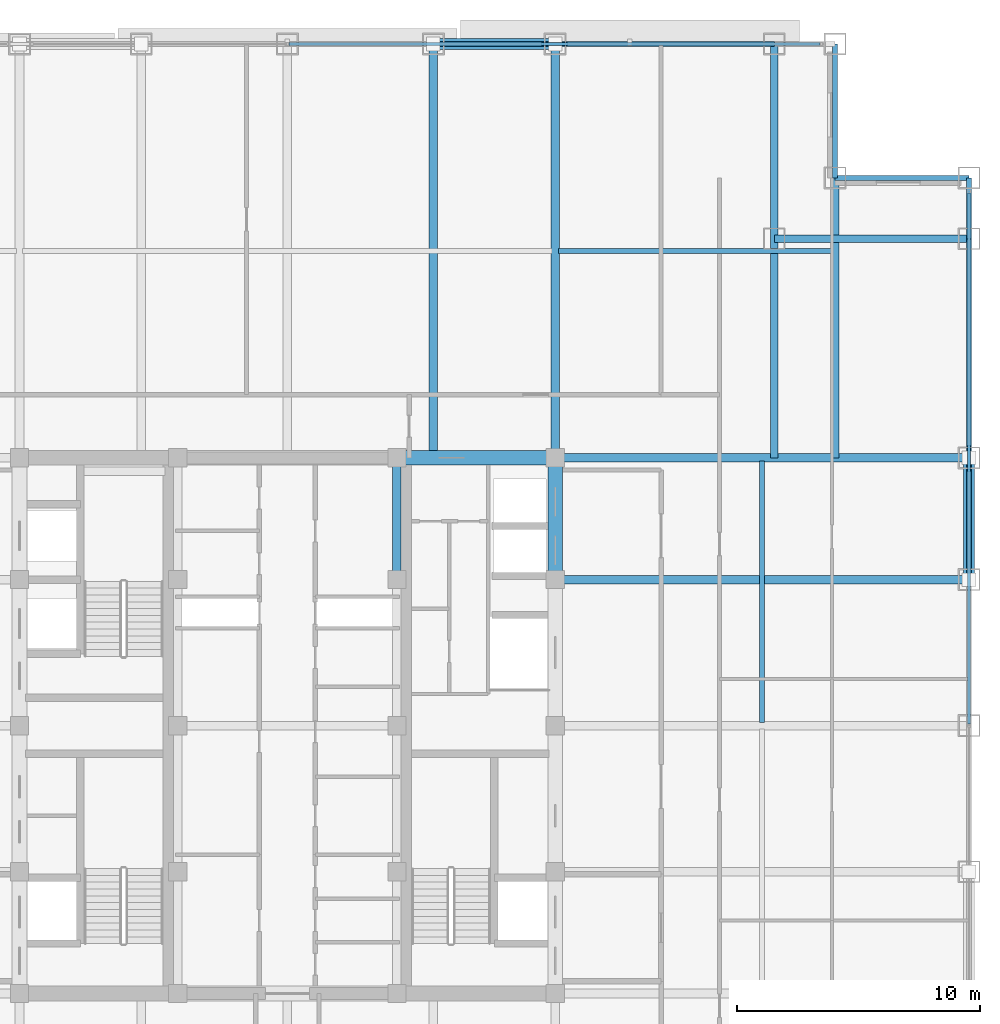
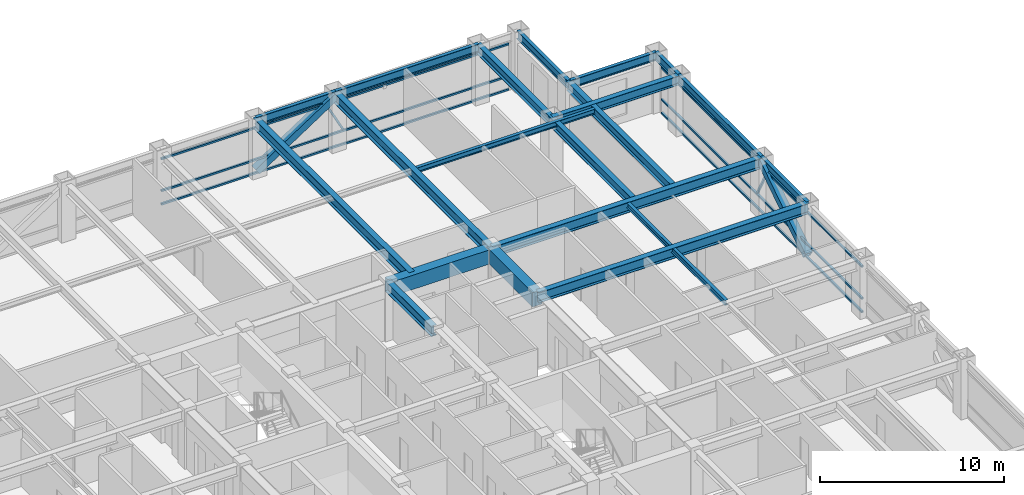
# One storey, part 15 of 27: 19 beams, 10 members, 2 elements without a shape of their own.
"""IFC4 building model written with IfcOpenShell, lengths in metres."""

from ifc_helpers import new_model, si_unit, direction, frame, origin, origin_2d, place, context, subcontext, project, spatial, rectangle, hollow_rectangle, i_section, extrude, source, transform, mapped, material, material_profile, profile_set, type_object, element, aggregate, save


model = new_model("IFC4")

# Units and contexts
model_context = context("Model", 3, precision=1e-05, world=origin(), true_north=direction((0.0, 1.0)))
body_context = subcontext(model_context, "Body", "Model", "MODEL_VIEW")
ifc_project = project(units=[si_unit("LENGTHUNIT", "METRE"), si_unit("AREAUNIT", "SQUARE_METRE"), si_unit("VOLUMEUNIT", "CUBIC_METRE"), si_unit("PLANEANGLEUNIT", "RADIAN"), si_unit("MASSUNIT", "GRAM", prefix="KILO")], contexts=[model_context])

# Site, building, storey
site_placement = place(None, origin())
site = spatial("IfcSite", under=ifc_project, at=site_placement, CompositionType="ELEMENT")
building_placement = place(site_placement, origin())
building = spatial("IfcBuilding", under=site, at=building_placement, Name="Khorayat Bourse Tower", CompositionType="ELEMENT")
storey_placement = place(building_placement, frame((0.0, 0.0, 313.5)))
storey = spatial("IfcBuildingStorey", under=building, at=storey_placement, Name="L74", CompositionType="ELEMENT", Elevation=313.5)

# Beams
ifc_material_1 = material(Name="Steel ASTM A992 Grade 50", Category="steel")
ifc_material_profile_1 = material_profile(ifc_material_1, i_section(OverallWidth=0.35498046875, OverallDepth=0.695068359375, WebThickness=0.015380859375, FlangeThickness=0.02490234375, FilletRadius=0.01806640625, at=origin_2d()), Name="W690X217")
ifc_profile_set_1 = profile_set([ifc_material_profile_1], Name="Steel ASTM A992 Grade 50")
beam_type_1 = type_object("IfcBeamType", Name="BM-GIRD-690", PredefinedType="BEAM", material=ifc_profile_set_1)
shared_shape_1 = source(origin(), body_context, "Body", "SweptSolid", [
    extrude(i_section(OverallWidth=0.35498046875, OverallDepth=0.695068359375, WebThickness=0.015380859375, FlangeThickness=0.02490234375, FilletRadius=0.01806640625, at=origin_2d()), origin(), (0.0, 0.0, 1.0), 5.0),
])
beam_1_placement = place(storey_placement, frame((4.5, 6.0, 3.4326171875), z_axis=(0.0, 1.0, 0.0), x_axis=(-1.0, 0.0, 0.0)))
element("IfcBeam", 1, at=beam_1_placement, inside=storey, type_object=beam_type_1, Name="L74 BM-GIRD-690 BM-L74-CRX-12", PredefinedType="BEAM", context=body_context, shape_type="MappedRepresentation", body=[
    mapped(shared_shape_1, transform((0.0, 0.0, 0.0), scale=1.0)),
])
ifc_material_profile_2 = material_profile(ifc_material_1, i_section(OverallWidth=0.324951171875, OverallDepth=0.615966796875, WebThickness=0.013916015625, FlangeThickness=0.021484375, FilletRadius=0.01611328125, at=origin_2d()), Name="W610X174")
ifc_profile_set_2 = profile_set([ifc_material_profile_2], Name="Steel ASTM A992 Grade 50")
beam_type_2 = type_object("IfcBeamType", Name="BM-GIRD-610", PredefinedType="BEAM", material=ifc_profile_set_2)
shared_shape_2 = source(origin(), body_context, "Body", "SweptSolid", [
    extrude(i_section(OverallWidth=0.324951171875, OverallDepth=0.615966796875, WebThickness=0.013916015625, FlangeThickness=0.021484375, FilletRadius=0.01611328125, at=origin_2d()), origin(), (0.0, 0.0, 1.0), 17.0),
])
beam_2_placement = place(storey_placement, frame((20.0, 11.0, 3.471923828125), z_axis=(0.0, 1.0, 0.0), x_axis=(-1.0, 0.0, 0.0)))
element("IfcBeam", 2, at=beam_2_placement, inside=storey, type_object=beam_type_2, Name="L74 BM-GIRD-610 BM-L74-CNRY-087", PredefinedType="BEAM", context=body_context, shape_type="MappedRepresentation", body=[
    mapped(shared_shape_2, transform((0.0, 0.0, 0.0), scale=1.0)),
])
ifc_material_2 = material(Name="Concrete C60/75", Category="concrete")
ifc_material_profile_3 = material_profile(ifc_material_2, rectangle(XDim=0.60009765625, YDim=0.949951171875, at=origin_2d()), Name="RC 600x950")
ifc_profile_set_3 = profile_set([ifc_material_profile_3], Name="Concrete C60/75")
beam_type_3 = type_object("IfcBeamType", Name="BM-COUP-950", PredefinedType="BEAM", material=ifc_profile_set_3)
shared_shape_3 = source(origin(), body_context, "Body", "SweptSolid", [
    extrude(rectangle(XDim=0.60009765625, YDim=0.949951171875, at=origin_2d()), origin(), (0.0, 0.0, 1.0), 5.0),
])
beam_3_placement = place(storey_placement, frame((11.0, 6.0, 3.304931640625), z_axis=(0.0, 1.0, 0.0), x_axis=(-1.0, 0.0, 0.0)))
element("IfcBeam", 3, at=beam_3_placement, inside=storey, type_object=beam_type_3, Name="L74 BM-COUP-950 BM-L74-CRX-16", PredefinedType="BEAM", context=body_context, shape_type="MappedRepresentation", body=[
    mapped(shared_shape_3, transform((0.0, 0.0, 0.0), scale=1.0)),
])
shared_shape_4 = source(origin(), body_context, "Body", "SweptSolid", [
    extrude(rectangle(XDim=0.60009765625, YDim=0.949951171875, at=origin_2d()), origin(), (0.0, 0.0, 1.0), 6.5),
])
beam_4_placement = place(storey_placement, frame((4.5, 11.0, 3.304931640625), z_axis=(1.0, 0.0, 0.0), x_axis=(0.0, 1.0, 0.0)))
element("IfcBeam", 4, at=beam_4_placement, inside=storey, type_object=beam_type_3, Name="L74 BM-COUP-950 BM-L74-CRY-22", PredefinedType="BEAM", context=body_context, shape_type="MappedRepresentation", body=[
    mapped(shared_shape_4, transform((0.0, 0.0, 0.0), scale=1.0)),
])

# Members
ifc_material_3 = material(Name="Steel EN 10025-4 S460M", Category="steel")
ifc_material_profile_4 = material_profile(ifc_material_3, hollow_rectangle(XDim=0.449951171875, YDim=0.449951171875, WallThickness=0.02490234375, at=origin_2d()), Name="HSS 450x450x25")
ifc_profile_set_4 = profile_set([ifc_material_profile_4], Name="Steel EN 10025-4 S460M")
member_type_1 = type_object("IfcMemberType", Name="MBR-TUBE-450", PredefinedType="BRACE", material=ifc_profile_set_4)
shared_shape_5 = source(origin(), body_context, "Body", "SweptSolid", [
    extrude(hollow_rectangle(XDim=0.449951171875, YDim=0.449951171875, WallThickness=0.02490234375, at=origin_2d()), origin(), (0.0, 0.0, 1.0), 5.979736328125),
])
for number, where, z_axis, x_axis, name in (
    (5, (6.0, 28.0, 0.25), (0.836141536525, 0.0, 0.548513747227), (0.0, 1.0, 0.0), "L74 Perimeter Tube Brace 04"),
    (6, (28.0, 6.0, 0.25), (0.0, 0.836141536525, 0.548513747227), (-1.0, 0.0, 0.0), "L74 Perimeter Tube Brace 08"),
):
    element("IfcMember", number, at=place(storey_placement, frame(where, z_axis=z_axis, x_axis=x_axis)), inside=storey, type_object=member_type_1, Name=name, PredefinedType="BRACE", context=body_context, shape_type="MappedRepresentation", body=[
        mapped(shared_shape_5, transform((0.0, 0.0, 0.0), scale=1.0)),
    ])

# Beams
shared_shape_6 = source(origin(), body_context, "Body", "SweptSolid", [
    extrude(i_section(OverallWidth=0.35498046875, OverallDepth=0.695068359375, WebThickness=0.015380859375, FlangeThickness=0.02490234375, FilletRadius=0.01806640625, at=origin_2d()), origin(), (0.0, 0.0, 1.0), 17.0),
])
for number, where, z_axis, x_axis, name in (
    (7, (6.0, 11.0, 3.4326171875), (0.0, 1.0, 0.0), (-1.0, 0.0, 0.0), "L74 BM-GIRD-690 BM-L74-RADY-070"),
    (8, (11.0, 11.0, 3.4326171875), (0.0, 1.0, 0.0), (-1.0, 0.0, 0.0), "L74 BM-GIRD-690 BM-L74-RADY-072"),
    (9, (11.0, 6.0, 3.4326171875), (1.0, 0.0, 0.0), (0.0, 1.0, 0.0), "L74 BM-GIRD-690 BM-L74-RADX-080"),
    (10, (11.0, 11.0, 3.4326171875), (1.0, 0.0, 0.0), (0.0, 1.0, 0.0), "L74 BM-GIRD-690 BM-L74-RADX-082"),
):
    element("IfcBeam", number, at=place(storey_placement, frame(where, z_axis=z_axis, x_axis=x_axis)), inside=storey, type_object=beam_type_1, Name=name, PredefinedType="BEAM", context=body_context, shape_type="MappedRepresentation", body=[
        mapped(shared_shape_6, transform((0.0, 0.0, 0.0), scale=1.0)),
    ])
shared_shape_7 = source(origin(), body_context, "Body", "SweptSolid", [
    extrude(i_section(OverallWidth=0.324951171875, OverallDepth=0.615966796875, WebThickness=0.013916015625, FlangeThickness=0.021484375, FilletRadius=0.01611328125, at=origin_2d()), origin(), (0.0, 0.0, 1.0), 11.5),
])
beam_5_placement = place(storey_placement, frame((22.5, 11.0, 3.471923828125), z_axis=(0.0, 1.0, 0.0), x_axis=(-1.0, 0.0, 0.0)))
element("IfcBeam", 11, at=beam_5_placement, inside=storey, type_object=beam_type_2, Name="L74 BM-GIRD-610 BM-L74-CNRY-091", PredefinedType="BEAM", context=body_context, shape_type="MappedRepresentation", body=[
    mapped(shared_shape_7, transform((0.0, 0.0, 0.0), scale=1.0)),
])
shared_shape_8 = source(origin(), body_context, "Body", "SweptSolid", [
    extrude(i_section(OverallWidth=0.324951171875, OverallDepth=0.615966796875, WebThickness=0.013916015625, FlangeThickness=0.021484375, FilletRadius=0.01611328125, at=origin_2d()), origin(), (0.0, 0.0, 1.0), 8.0),
])
beam_6_placement = place(storey_placement, frame((20.0, 20.0, 3.471923828125), z_axis=(1.0, 0.0, 0.0), x_axis=(0.0, 1.0, 0.0)))
element("IfcBeam", 12, at=beam_6_placement, inside=storey, type_object=beam_type_2, Name="L74 BM-GIRD-610 BM-L74-CNRX-094", PredefinedType="BEAM", context=body_context, shape_type="MappedRepresentation", body=[
    mapped(shared_shape_8, transform((0.0, 0.0, 0.0), scale=1.0)),
])
ifc_material_profile_5 = material_profile(ifc_material_1, i_section(OverallWidth=0.202880859375, OverallDepth=0.346923828125, WebThickness=0.0078125, FlangeThickness=0.013427734375, FilletRadius=0.010009765625, at=origin_2d()), Name="W360X64")
ifc_profile_set_5 = profile_set([ifc_material_profile_5], Name="Steel ASTM A992 Grade 50")
beam_type_4 = type_object("IfcBeamType", Name="BM-JOIST-360", PredefinedType="JOIST", material=ifc_profile_set_5)
shared_shape_9 = source(origin(), body_context, "Body", "SweptSolid", [
    extrude(i_section(OverallWidth=0.202880859375, OverallDepth=0.346923828125, WebThickness=0.0078125, FlangeThickness=0.013427734375, FilletRadius=0.010009765625, at=origin_2d()), origin(), (0.0, 0.0, 1.0), 11.240234375),
])
beam_7_placement = place(storey_placement, frame((11.1298828125, 19.5, 3.6064453125), z_axis=(1.0, 0.0, 0.0), x_axis=(0.0, 1.0, 0.0)))
element("IfcBeam", 13, at=beam_7_placement, inside=storey, type_object=beam_type_4, Name="L74 BM-JOIST-360 BM-L74-JSTX-101", PredefinedType="JOIST", context=body_context, shape_type="MappedRepresentation", body=[
    mapped(shared_shape_9, transform((0.0, 0.0, 0.0), scale=1.0)),
])
shared_shape_10 = source(origin(), body_context, "Body", "SweptSolid", [
    extrude(i_section(OverallWidth=0.202880859375, OverallDepth=0.346923828125, WebThickness=0.0078125, FlangeThickness=0.013427734375, FilletRadius=0.010009765625, at=origin_2d()), origin(), (0.0, 0.0, 1.0), 10.740234375),
])
beam_8_placement = place(storey_placement, frame((19.5, 0.1298828125, 3.6064453125), z_axis=(0.0, 1.0, 0.0), x_axis=(-1.0, 0.0, 0.0)))
element("IfcBeam", 14, at=beam_8_placement, inside=storey, type_object=beam_type_4, Name="L74 BM-JOIST-360 BM-L74-JSTY-105", PredefinedType="JOIST", context=body_context, shape_type="MappedRepresentation", body=[
    mapped(shared_shape_10, transform((0.0, 0.0, 0.0), scale=1.0)),
])
ifc_material_profile_6 = material_profile(ifc_material_1, i_section(OverallWidth=0.214111328125, OverallDepth=0.549072265625, WebThickness=0.0146484375, FlangeThickness=0.023681640625, FilletRadius=0.013916015625, at=origin_2d()), Name="W530X138")
ifc_profile_set_6 = profile_set([ifc_material_profile_6], Name="Steel ASTM A992 Grade 50")
beam_type_5 = type_object("IfcBeamType", Name="BM-SPAN-530", PredefinedType="SPANDREL", material=ifc_profile_set_6)
shared_shape_11 = source(origin(), body_context, "Body", "SweptSolid", [
    extrude(i_section(OverallWidth=0.214111328125, OverallDepth=0.549072265625, WebThickness=0.0146484375, FlangeThickness=0.023681640625, FilletRadius=0.013916015625, at=origin_2d()), origin(), (0.0, 0.0, 1.0), 2.5),
])
beam_9_placement = place(storey_placement, frame((28.0, 20.0, 3.505615234375), z_axis=(0.0, 1.0, 0.0), x_axis=(-1.0, 0.0, 0.0)))
element("IfcBeam", 15, at=beam_9_placement, inside=storey, type_object=beam_type_5, Name="L74 BM-SPAN-530 BM-L74-SPN-041", PredefinedType="SPANDREL", context=body_context, shape_type="MappedRepresentation", body=[
    mapped(shared_shape_11, transform((0.0, 0.0, 0.0), scale=1.0)),
])
shared_shape_12 = source(origin(), body_context, "Body", "SweptSolid", [
    extrude(i_section(OverallWidth=0.214111328125, OverallDepth=0.549072265625, WebThickness=0.0146484375, FlangeThickness=0.023681640625, FilletRadius=0.013916015625, at=origin_2d()), origin(), (0.0, 0.0, 1.0), 9.0),
])
for number, where, z_axis, x_axis, name in (
    (16, (28.0, 11.0, 3.505615234375), (0.0, 1.0, 0.0), (-1.0, 0.0, 0.0), "L74 BM-SPAN-530 BM-L74-SPN-040"),
    (17, (11.0, 28.0, 3.505615234375), (1.0, 0.0, 0.0), (0.0, 1.0, 0.0), "L74 BM-SPAN-530 BM-L74-SPN-045"),
):
    element("IfcBeam", number, at=place(storey_placement, frame(where, z_axis=z_axis, x_axis=x_axis)), inside=storey, type_object=beam_type_5, Name=name, PredefinedType="SPANDREL", context=body_context, shape_type="MappedRepresentation", body=[
        mapped(shared_shape_12, transform((0.0, 0.0, 0.0), scale=1.0)),
    ])
shared_shape_13 = source(origin(), body_context, "Body", "SweptSolid", [
    extrude(i_section(OverallWidth=0.214111328125, OverallDepth=0.549072265625, WebThickness=0.0146484375, FlangeThickness=0.023681640625, FilletRadius=0.013916015625, at=origin_2d()), origin(), (0.0, 0.0, 1.0), 5.0),
])
for number, where, z_axis, x_axis, name in (
    (18, (28.0, 6.0, 3.505615234375), (0.0, 1.0, 0.0), (-1.0, 0.0, 0.0), "L74 BM-SPAN-530 BM-L74-SPN-039"),
    (19, (6.0, 28.0, 3.505615234375), (1.0, 0.0, 0.0), (0.0, 1.0, 0.0), "L74 BM-SPAN-530 BM-L74-SPN-046"),
):
    element("IfcBeam", number, at=place(storey_placement, frame(where, z_axis=z_axis, x_axis=x_axis)), inside=storey, type_object=beam_type_5, Name=name, PredefinedType="SPANDREL", context=body_context, shape_type="MappedRepresentation", body=[
        mapped(shared_shape_13, transform((0.0, 0.0, 0.0), scale=1.0)),
    ])
shared_shape_14 = source(origin(), body_context, "Body", "SweptSolid", [
    extrude(i_section(OverallWidth=0.214111328125, OverallDepth=0.549072265625, WebThickness=0.0146484375, FlangeThickness=0.023681640625, FilletRadius=0.013916015625, at=origin_2d()), origin(), (0.0, 0.0, 1.0), 5.5),
])
for number, where, z_axis, x_axis, name in (
    (20, (22.5, 22.5, 3.505615234375), (1.0, 0.0, 0.0), (0.0, 1.0, 0.0), "L74 BM-SPAN-530 BM-L74-SPN-042"),
    (21, (22.5, 22.5, 3.505615234375), (0.0, 1.0, 0.0), (-1.0, 0.0, 0.0), "L74 BM-SPAN-530 BM-L74-SPN-043"),
):
    element("IfcBeam", number, at=place(storey_placement, frame(where, z_axis=z_axis, x_axis=x_axis)), inside=storey, type_object=beam_type_5, Name=name, PredefinedType="SPANDREL", context=body_context, shape_type="MappedRepresentation", body=[
        mapped(shared_shape_14, transform((0.0, 0.0, 0.0), scale=1.0)),
    ])

# Curtain wall, member
ifc_material_4 = material(Name="Aluminium EN AW-6063 T6", Category="aluminium")
curtain_wall_type = type_object("IfcCurtainWallType", Name="CW-SYS-04", PredefinedType="NOTDEFINED", material=ifc_material_4)
curtain_wall_1_placement = place(storey_placement, origin())
curtain_wall_1 = element("IfcCurtainWall", 22, at=curtain_wall_1_placement, inside=storey, type_object=curtain_wall_type, Name="L74 Curtain Wall CW-L74-N1", PredefinedType="NOTDEFINED")
ifc_material_profile_7 = material_profile(ifc_material_4, hollow_rectangle(XDim=0.1201171875, YDim=0.1201171875, WallThickness=0.0048828125, at=origin_2d()), Name="ALU 120x120x5")
ifc_profile_set_7 = profile_set([ifc_material_profile_7], Name="Aluminium EN AW-6063 T6")
member_type_2 = type_object("IfcMemberType", Name="CWM-DIAG-120", PredefinedType="MULLION", material=ifc_profile_set_7)
shared_shape_15 = source(origin(), body_context, "Body", "SweptSolid", [
    extrude(hollow_rectangle(XDim=0.1201171875, YDim=0.1201171875, WallThickness=0.0048828125, at=origin_2d()), origin(), (0.0, 0.0, 1.0), 2.0791015625),
])
member_1_placement = place(storey_placement, frame((11.4541015625, 28.0, 1.090087890625), z_axis=(-0.465717394116, 0.0, 0.884933505309), x_axis=(0.0, -1.0, 0.0)))
member_1 = element("IfcMember", 23, at=member_1_placement, type_object=member_type_2, Name="CW-L74-N1 Faceted Diagonal Mullion 2", PredefinedType="MULLION", context=body_context, shape_type="MappedRepresentation", body=[
    mapped(shared_shape_15, transform((0.0, 0.0, 0.0), scale=1.0)),
])

curtain_wall_2_placement = place(storey_placement, origin())
curtain_wall_2 = element("IfcCurtainWall", 24, at=curtain_wall_2_placement, inside=storey, type_object=curtain_wall_type, Name="L74 Curtain Wall CW-L74-E1", PredefinedType="NOTDEFINED")
member_2_placement = place(storey_placement, frame((28.0, 11.4541015625, 1.090087890625), z_axis=(0.0, -0.465717394116, 0.884933505309), x_axis=(1.0, 0.0, 0.0)))
member_2 = element("IfcMember", 25, at=member_2_placement, type_object=member_type_2, Name="CW-L74-E1 Faceted Diagonal Mullion 2", PredefinedType="MULLION", context=body_context, shape_type="MappedRepresentation", body=[
    mapped(shared_shape_15, transform((0.0, 0.0, 0.0), scale=1.0)),
])

# Member
ifc_material_profile_8 = material_profile(ifc_material_4, hollow_rectangle(XDim=0.1201171875, YDim=0.1201171875, WallThickness=0.0048828125, at=origin_2d()), Name="ALU 120x120x5")
ifc_profile_set_8 = profile_set([ifc_material_profile_8], Name="Aluminium EN AW-6063 T6")
member_type_3 = type_object("IfcMemberType", Name="CWT-HORZ-120", PredefinedType="USERDEFINED", material=ifc_profile_set_8)
shared_shape_16 = source(origin(), body_context, "Body", "SweptSolid", [
    extrude(hollow_rectangle(XDim=0.1201171875, YDim=0.1201171875, WallThickness=0.0048828125, at=origin_2d()), origin(), (0.0, 0.0, 1.0), 21.81982421875),
])
member_3_placement = place(storey_placement, frame((0.06005859375, 28.0, 0.06005859375), z_axis=(1.0, 0.0, 0.0), x_axis=(0.0, 1.0, 0.0)))
member_3 = element("IfcMember", 26, at=member_3_placement, type_object=member_type_3, Name="CW-L74-N1 Horizontal Transom 2-1", ObjectType="TRANSOM", PredefinedType="USERDEFINED", context=body_context, shape_type="MappedRepresentation", body=[
    mapped(shared_shape_16, transform((0.0, 0.0, 0.0), scale=1.0)),
])

member_4_placement = place(storey_placement, frame((0.06005859375, 28.0, 0.949951171875), z_axis=(1.0, 0.0, 0.0), x_axis=(0.0, 1.0, 0.0)))
member_4 = element("IfcMember", 27, at=member_4_placement, type_object=member_type_3, Name="CW-L74-N1 Horizontal Transom 2-2", ObjectType="TRANSOM", PredefinedType="USERDEFINED", context=body_context, shape_type="MappedRepresentation", body=[
    mapped(shared_shape_16, transform((0.0, 0.0, 0.0), scale=1.0)),
])

member_5_placement = place(storey_placement, frame((0.06005859375, 28.0, 3.070068359375), z_axis=(1.0, 0.0, 0.0), x_axis=(0.0, 1.0, 0.0)))
member_5 = element("IfcMember", 28, at=member_5_placement, type_object=member_type_3, Name="CW-L74-N1 Horizontal Transom 2-3", ObjectType="TRANSOM", PredefinedType="USERDEFINED", context=body_context, shape_type="MappedRepresentation", body=[
    mapped(shared_shape_16, transform((0.0, 0.0, 0.0), scale=1.0)),
])

aggregate(curtain_wall_1, [member_3, member_4, member_5, member_1])

member_6_placement = place(storey_placement, frame((28.0, 0.06005859375, 0.06005859375), z_axis=(0.0, 1.0, 0.0), x_axis=(-1.0, 0.0, 0.0)))
member_6 = element("IfcMember", 29, at=member_6_placement, type_object=member_type_3, Name="CW-L74-E1 Horizontal Transom 2-1", ObjectType="TRANSOM", PredefinedType="USERDEFINED", context=body_context, shape_type="MappedRepresentation", body=[
    mapped(shared_shape_16, transform((0.0, 0.0, 0.0), scale=1.0)),
])

member_7_placement = place(storey_placement, frame((28.0, 0.06005859375, 0.949951171875), z_axis=(0.0, 1.0, 0.0), x_axis=(-1.0, 0.0, 0.0)))
member_7 = element("IfcMember", 30, at=member_7_placement, type_object=member_type_3, Name="CW-L74-E1 Horizontal Transom 2-2", ObjectType="TRANSOM", PredefinedType="USERDEFINED", context=body_context, shape_type="MappedRepresentation", body=[
    mapped(shared_shape_16, transform((0.0, 0.0, 0.0), scale=1.0)),
])

member_8_placement = place(storey_placement, frame((28.0, 0.06005859375, 3.070068359375), z_axis=(0.0, 1.0, 0.0), x_axis=(-1.0, 0.0, 0.0)))
member_8 = element("IfcMember", 31, at=member_8_placement, type_object=member_type_3, Name="CW-L74-E1 Horizontal Transom 2-3", ObjectType="TRANSOM", PredefinedType="USERDEFINED", context=body_context, shape_type="MappedRepresentation", body=[
    mapped(shared_shape_16, transform((0.0, 0.0, 0.0), scale=1.0)),
])

aggregate(curtain_wall_2, [member_6, member_7, member_8, member_2])

save(model, "model.ifc")
